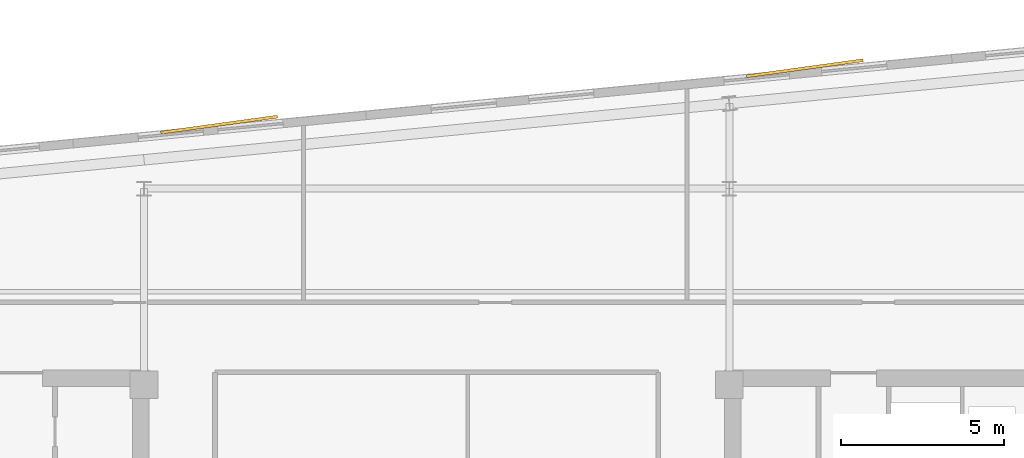
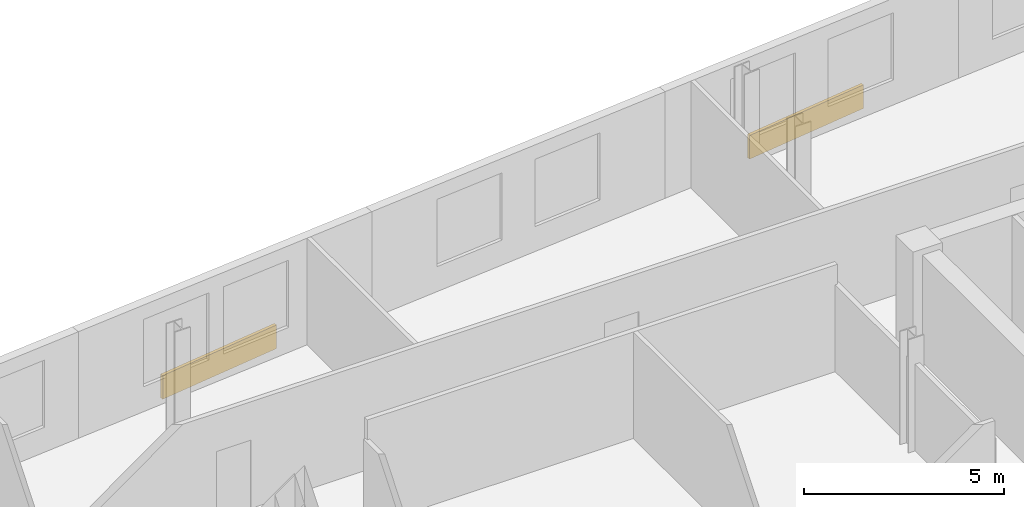
# One storey, part 9 of 9: 2 coverings.
"""IFC4 building model written with IfcOpenShell, lengths in metres."""

import ifcopenshell
import ifcopenshell.guid

model = None  # the IFC model being written
_history = None  # IfcOwnerHistory: only IFC2X3 demands one
_inside = {}  # id of a spatial element -> (the spatial element, [elements in it])
_under = {}  # id of a project, library or spatial element -> (it, [spatial elements below it])
_declared = {}  # id of a project -> (the project, [libraries it declares])
_typed = {}  # id of a type object -> (the type object, [elements of that type])
_made_of = {}  # id of a material, layer set ... -> (it, [elements and type objects made of it])


def new_model(schema):
    """Start an empty IFC model of exactly this schema.

    Asked for "IFC4X3", IfcOpenShell would pick the latest addendum, in which some entities
    have other attributes; the version numbers below select the first issue.
    IFC2X3 requires an IfcOwnerHistory on every rooted entity: one is made here for all.
    """
    global model, _history
    if schema == "IFC4X3":
        model = ifcopenshell.file(schema_version=(4, 3, 0, 0))
    else:
        model = ifcopenshell.file(schema=schema)
    _inside.clear()
    _under.clear()
    _declared.clear()
    _typed.clear()
    _made_of.clear()
    _history = None
    if model.schema == "IFC2X3":
        org = make("IfcOrganization", Name="unknown")
        user = make(
            "IfcPersonAndOrganization",
            ThePerson=make("IfcPerson", FamilyName="unknown"),
            TheOrganization=org,
        )
        app = make(
            "IfcApplication",
            ApplicationDeveloper=org,
            Version="unknown",
            ApplicationFullName="unknown",
            ApplicationIdentifier="unknown",
        )
        _history = make(
            "IfcOwnerHistory",
            OwningUser=user,
            OwningApplication=app,
            ChangeAction="ADDED",
            CreationDate=0,
        )
    return model


def make(cls, **values):
    """One entity of the class cls with the attributes given. An attribute that is None is left unset."""
    return model.create_entity(
        cls, **{name: value for name, value in values.items() if value is not None}
    )


def rooted(cls, **values):
    """An entity with a GlobalId (a new one), such as an element, a storey or a relation."""
    return make(cls, GlobalId=ifcopenshell.guid.new(), OwnerHistory=_history, **values)


def si_unit(unit_type, name, prefix=None):
    """IfcSIUnit, for example si_unit("LENGTHUNIT", "METRE", prefix="MILLI")."""
    return make("IfcSIUnit", UnitType=unit_type, Prefix=prefix, Name=name)


def assignment(units):
    """IfcUnitAssignment: the units of a project."""
    return None if units is None else make("IfcUnitAssignment", Units=units)


def point(xyz):
    """IfcCartesianPoint."""
    return None if xyz is None else make("IfcCartesianPoint", Coordinates=xyz)


def direction(xyz):
    """IfcDirection."""
    return None if xyz is None else make("IfcDirection", DirectionRatios=xyz)


def frame(location, z_axis=None, x_axis=None):
    """IfcAxis2Placement3D, a coordinate frame: its origin and axes. An axis left out is left unset."""
    return make(
        "IfcAxis2Placement3D",
        Location=point(location),
        Axis=direction(z_axis),
        RefDirection=direction(x_axis),
    )


def frame_2d(location, x_axis=None):
    """IfcAxis2Placement2D, a coordinate frame in the plane: its origin and x axis."""
    return make(
        "IfcAxis2Placement2D", Location=point(location), RefDirection=direction(x_axis)
    )


def origin():
    """The frame at (0, 0, 0) with its axes left unset."""
    return frame((0.0, 0.0, 0.0))


def origin_2d():
    """The frame at (0, 0) in the plane with its x axis left unset."""
    return frame_2d((0.0, 0.0))


def place(relative_to, where):
    """IfcLocalPlacement: puts the frame where relative to a parent placement (None: the world)."""
    return make(
        "IfcLocalPlacement", PlacementRelTo=relative_to, RelativePlacement=where
    )


def context(
    kind, dimensions, precision=None, world=None, true_north=None, identifier=None
):
    """IfcGeometricRepresentationContext, for example the 3D "Model" context."""
    return make(
        "IfcGeometricRepresentationContext",
        ContextIdentifier=identifier,
        ContextType=kind,
        CoordinateSpaceDimension=dimensions,
        Precision=precision,
        WorldCoordinateSystem=world,
        TrueNorth=true_north,
    )


def subcontext(parent, identifier, kind, view, scale=None):
    """IfcGeometricRepresentationSubContext, for example "Body" below "Model"."""
    return make(
        "IfcGeometricRepresentationSubContext",
        ContextIdentifier=identifier,
        ContextType=kind,
        ParentContext=parent,
        TargetScale=scale,
        TargetView=view,
    )


def project(units=None, contexts=None):
    """IfcProject with its units and contexts."""
    return rooted(
        "IfcProject",
        Name="project",
        RepresentationContexts=contexts,
        UnitsInContext=assignment(units),
    )


def spatial(cls, under=None, at=None, **own):
    """A site, building, storey or space (cls), placed at a placement, below another one or the project."""
    s = rooted(cls, ObjectPlacement=at, **own)
    if under is not None:
        _under.setdefault(under.id(), (under, []))[1].append(s)
    return s


def profile(cls, at=None, kind="AREA", **sizes):
    """A parametric profile (cls). Its sizes go by their IFC names, for example OverallWidth=200.0."""
    return make(cls, ProfileType=kind, Position=at, **sizes)


def rectangle(**sizes):
    """IfcRectangleProfileDef."""
    return profile("IfcRectangleProfileDef", **sizes)


def extrude(swept, where, along, depth):
    """IfcExtrudedAreaSolid: the profile swept, set in the frame where, extruded along a direction by depth."""
    return make(
        "IfcExtrudedAreaSolid",
        SweptArea=swept,
        Position=where,
        ExtrudedDirection=direction(along),
        Depth=depth,
    )


def shape(context_of_items, identifier, shape_type, items):
    """IfcShapeRepresentation: the items that make up one representation, for example the "Body"."""
    return make(
        "IfcShapeRepresentation",
        ContextOfItems=context_of_items,
        RepresentationIdentifier=identifier,
        RepresentationType=shape_type,
        Items=items,
    )


def material(Name=None, Category=None):
    """IfcMaterial."""
    return make("IfcMaterial", Name=Name, Category=Category)


def layer(
    of_material, thickness, ventilated=None, Name=None, Category=None, Priority=None
):
    """IfcMaterialLayer: one layer of a wall or slab, of a material (None: an air gap)."""
    return make(
        "IfcMaterialLayer",
        Material=of_material,
        LayerThickness=thickness,
        IsVentilated=ventilated,
        Name=Name,
        Category=Category,
        Priority=Priority,
    )


def layer_set(layers, Name=None):
    """IfcMaterialLayerSet."""
    return make("IfcMaterialLayerSet", MaterialLayers=layers, LayerSetName=Name)


def made_of(thing, what):
    """Note that an element or type object is made of a material, layer set ...; save() writes the relation."""
    if what is not None:
        _made_of.setdefault(what.id(), (what, []))[1].append(thing)
    return thing


def type_object(cls, material=None, **own):
    """A type object (cls), such as IfcWallType, which elements share."""
    return made_of(rooted(cls, **own), material)


def element(
    cls,
    number,
    at=None,
    inside=None,
    cuts=None,
    type_object=None,
    material=None,
    context=None,
    identifier="Body",
    shape_type=None,
    held_by="IfcProductDefinitionShape",
    body=None,
    shapes=None,
    **own,
):
    """One element of the class cls, such as IfcWall. Its Tag is "e" and its number.

    at: its placement. inside: the storey or other place that contains it. cuts: it is an
    opening in that element (IfcRelVoidsElement). A single representation is given by context,
    identifier, shape_type and body (its items); several are given by shapes. held_by: the class
    of the entity that holds the representations. save() writes the other relations.
    """
    e = rooted(cls, Tag="e%d" % number, ObjectPlacement=at, **own)
    if body is not None:
        shapes = [shape(context, identifier, shape_type, body)]
    if shapes is not None:
        e.Representation = make(held_by, Representations=shapes)
    if inside is not None:
        _inside.setdefault(inside.id(), (inside, []))[1].append(e)
    if cuts is not None:
        rooted(
            "IfcRelVoidsElement", RelatingBuildingElement=cuts, RelatedOpeningElement=e
        )
    if type_object is not None:
        _typed.setdefault(type_object.id(), (type_object, []))[1].append(e)
    return made_of(e, material)


def aggregate(whole, parts):
    """IfcRelAggregates: a whole, such as a stair, and the parts it consists of."""
    return rooted("IfcRelAggregates", RelatingObject=whole, RelatedObjects=parts)


def save(model, path):
    """Write the relations noted so far, then the file.

    IfcRelAggregates (storeys below a building ...), IfcRelContainedInSpatialStructure (elements
    in a storey), IfcRelDefinesByType, IfcRelAssociatesMaterial and IfcRelDeclares: one each for
    every whole, place, type object, material and project.
    """
    for whole, parts in _under.values():
        aggregate(whole, parts)
    for where, things in _inside.values():
        rooted(
            "IfcRelContainedInSpatialStructure",
            RelatedElements=things,
            RelatingStructure=where,
        )
    for kind, things in _typed.values():
        rooted("IfcRelDefinesByType", RelatedObjects=things, RelatingType=kind)
    for what, things in _made_of.values():
        rooted("IfcRelAssociatesMaterial", RelatedObjects=things, RelatingMaterial=what)
    for by, libraries in _declared.values():
        rooted("IfcRelDeclares", RelatingContext=by, RelatedDefinitions=libraries)
    model.write(path)


model = new_model("IFC4")

# Units and contexts
model_context = context("Model", 3, precision=1e-05, world=origin(), true_north=direction((0.0, 1.0)))
body_context = subcontext(model_context, "Body", "Model", "MODEL_VIEW")
ifc_project = project(units=[si_unit("LENGTHUNIT", "METRE"), si_unit("AREAUNIT", "SQUARE_METRE"), si_unit("VOLUMEUNIT", "CUBIC_METRE"), si_unit("PLANEANGLEUNIT", "RADIAN"), si_unit("MASSUNIT", "GRAM", prefix="KILO")], contexts=[model_context])

# Site, building, storey
site_placement = place(None, origin())
site = spatial("IfcSite", under=ifc_project, at=site_placement, CompositionType="ELEMENT")
building_placement = place(site_placement, origin())
building = spatial("IfcBuilding", under=site, at=building_placement, Name="Velakula Bourse", CompositionType="ELEMENT")
storey_placement = place(building_placement, frame((0.0, 0.0, 268.949951171875)))
storey = spatial("IfcBuildingStorey", under=building, at=storey_placement, Name="L73", CompositionType="ELEMENT", Elevation=268.949951171875)

# Coverings
ifc_material = material(Name="Buff kilned clay facing brick masonry", Category="masonry")
ifc_layer = layer(ifc_material, 0.074951171875, Name="Buff kilned clay facing brick masonry", Category="masonry")
ifc_layer_set = layer_set([ifc_layer], Name="Buff kilned clay facing brick masonry")
covering_type = type_object("IfcCoveringType", Name="COV-BRK-SPN-75", PredefinedType="CLADDING", material=ifc_layer_set)
for number, where, z_axis, x_axis, name in (
    (1, (-6.655029296875, 16.555908203125, 0.0), (0.0, 0.0, 1.0), (0.990629029058, 0.136580111242, 0.0), "L73 Folded Brick Facade Cladding Panel N-B2"),
    (2, (11.26220703125, 18.281005859375, 0.0), (0.0, 0.0, 1.0), (0.990629029058, 0.136580111242, 0.0), "L73 Folded Brick Facade Cladding Panel N-B4"),
):
    element("IfcCovering", number, at=place(storey_placement, frame(where, z_axis=z_axis, x_axis=x_axis)), inside=storey, type_object=covering_type, Name=name, PredefinedType="CLADDING", context=body_context, shape_type="SweptSolid", body=[
        extrude(rectangle(XDim=3.60009765625, YDim=0.090087890625, at=origin_2d()), origin(), (0.0, 0.0, 1.0), 0.719970703125),
    ])

save(model, "model.ifc")
